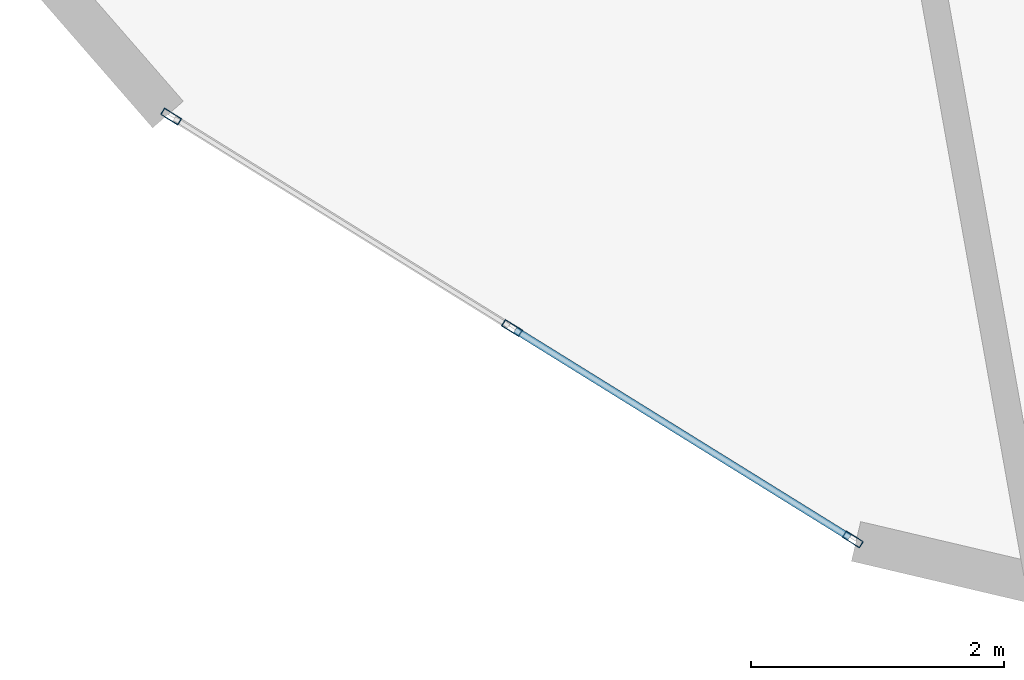
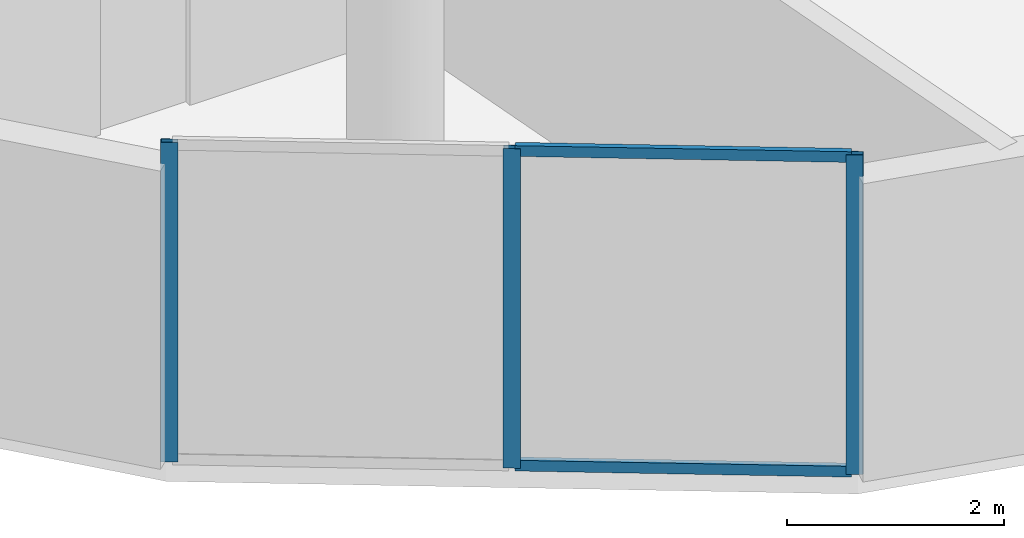
# One storey, part 2 of 22: 5 members, 1 element without a shape of its own.
"""IFC4 building model written with IfcOpenShell, lengths in metres."""

import ifcopenshell
import ifcopenshell.guid

model = None  # the IFC model being written
_history = None  # IfcOwnerHistory: only IFC2X3 demands one
_inside = {}  # id of a spatial element -> (the spatial element, [elements in it])
_under = {}  # id of a project, library or spatial element -> (it, [spatial elements below it])
_declared = {}  # id of a project -> (the project, [libraries it declares])
_typed = {}  # id of a type object -> (the type object, [elements of that type])
_made_of = {}  # id of a material, layer set ... -> (it, [elements and type objects made of it])


def new_model(schema):
    """Start an empty IFC model of exactly this schema.

    Asked for "IFC4X3", IfcOpenShell would pick the latest addendum, in which some entities
    have other attributes; the version numbers below select the first issue.
    IFC2X3 requires an IfcOwnerHistory on every rooted entity: one is made here for all.
    """
    global model, _history
    if schema == "IFC4X3":
        model = ifcopenshell.file(schema_version=(4, 3, 0, 0))
    else:
        model = ifcopenshell.file(schema=schema)
    _inside.clear()
    _under.clear()
    _declared.clear()
    _typed.clear()
    _made_of.clear()
    _history = None
    if model.schema == "IFC2X3":
        org = make("IfcOrganization", Name="unknown")
        user = make(
            "IfcPersonAndOrganization",
            ThePerson=make("IfcPerson", FamilyName="unknown"),
            TheOrganization=org,
        )
        app = make(
            "IfcApplication",
            ApplicationDeveloper=org,
            Version="unknown",
            ApplicationFullName="unknown",
            ApplicationIdentifier="unknown",
        )
        _history = make(
            "IfcOwnerHistory",
            OwningUser=user,
            OwningApplication=app,
            ChangeAction="ADDED",
            CreationDate=0,
        )
    return model


def make(cls, **values):
    """One entity of the class cls with the attributes given. An attribute that is None is left unset."""
    return model.create_entity(
        cls, **{name: value for name, value in values.items() if value is not None}
    )


def rooted(cls, **values):
    """An entity with a GlobalId (a new one), such as an element, a storey or a relation."""
    return make(cls, GlobalId=ifcopenshell.guid.new(), OwnerHistory=_history, **values)


def si_unit(unit_type, name, prefix=None):
    """IfcSIUnit, for example si_unit("LENGTHUNIT", "METRE", prefix="MILLI")."""
    return make("IfcSIUnit", UnitType=unit_type, Prefix=prefix, Name=name)


def assignment(units):
    """IfcUnitAssignment: the units of a project."""
    return None if units is None else make("IfcUnitAssignment", Units=units)


def point(xyz):
    """IfcCartesianPoint."""
    return None if xyz is None else make("IfcCartesianPoint", Coordinates=xyz)


def direction(xyz):
    """IfcDirection."""
    return None if xyz is None else make("IfcDirection", DirectionRatios=xyz)


def frame(location, z_axis=None, x_axis=None):
    """IfcAxis2Placement3D, a coordinate frame: its origin and axes. An axis left out is left unset."""
    return make(
        "IfcAxis2Placement3D",
        Location=point(location),
        Axis=direction(z_axis),
        RefDirection=direction(x_axis),
    )


def frame_2d(location, x_axis=None):
    """IfcAxis2Placement2D, a coordinate frame in the plane: its origin and x axis."""
    return make(
        "IfcAxis2Placement2D", Location=point(location), RefDirection=direction(x_axis)
    )


def origin():
    """The frame at (0, 0, 0) with its axes left unset."""
    return frame((0.0, 0.0, 0.0))


def origin_2d():
    """The frame at (0, 0) in the plane with its x axis left unset."""
    return frame_2d((0.0, 0.0))


def place(relative_to, where):
    """IfcLocalPlacement: puts the frame where relative to a parent placement (None: the world)."""
    return make(
        "IfcLocalPlacement", PlacementRelTo=relative_to, RelativePlacement=where
    )


def context(
    kind, dimensions, precision=None, world=None, true_north=None, identifier=None
):
    """IfcGeometricRepresentationContext, for example the 3D "Model" context."""
    return make(
        "IfcGeometricRepresentationContext",
        ContextIdentifier=identifier,
        ContextType=kind,
        CoordinateSpaceDimension=dimensions,
        Precision=precision,
        WorldCoordinateSystem=world,
        TrueNorth=true_north,
    )


def subcontext(parent, identifier, kind, view, scale=None):
    """IfcGeometricRepresentationSubContext, for example "Body" below "Model"."""
    return make(
        "IfcGeometricRepresentationSubContext",
        ContextIdentifier=identifier,
        ContextType=kind,
        ParentContext=parent,
        TargetScale=scale,
        TargetView=view,
    )


def project(units=None, contexts=None):
    """IfcProject with its units and contexts."""
    return rooted(
        "IfcProject",
        Name="project",
        RepresentationContexts=contexts,
        UnitsInContext=assignment(units),
    )


def spatial(cls, under=None, at=None, **own):
    """A site, building, storey or space (cls), placed at a placement, below another one or the project."""
    s = rooted(cls, ObjectPlacement=at, **own)
    if under is not None:
        _under.setdefault(under.id(), (under, []))[1].append(s)
    return s


def profile(cls, at=None, kind="AREA", **sizes):
    """A parametric profile (cls). Its sizes go by their IFC names, for example OverallWidth=200.0."""
    return make(cls, ProfileType=kind, Position=at, **sizes)


def hollow_rectangle(**sizes):
    """IfcRectangleHollowProfileDef."""
    return profile("IfcRectangleHollowProfileDef", **sizes)


def extrude(swept, where, along, depth):
    """IfcExtrudedAreaSolid: the profile swept, set in the frame where, extruded along a direction by depth."""
    return make(
        "IfcExtrudedAreaSolid",
        SweptArea=swept,
        Position=where,
        ExtrudedDirection=direction(along),
        Depth=depth,
    )


def shape(context_of_items, identifier, shape_type, items):
    """IfcShapeRepresentation: the items that make up one representation, for example the "Body"."""
    return make(
        "IfcShapeRepresentation",
        ContextOfItems=context_of_items,
        RepresentationIdentifier=identifier,
        RepresentationType=shape_type,
        Items=items,
    )


def source(mapping_origin, context_of_items, identifier, shape_type, items):
    """IfcRepresentationMap: a shape defined once, which mapped items show again and again."""
    return make(
        "IfcRepresentationMap",
        MappingOrigin=mapping_origin,
        MappedRepresentation=shape(context_of_items, identifier, shape_type, items),
    )


def transform(
    local_origin,
    x_axis=None,
    y_axis=None,
    z_axis=None,
    scale=None,
    scale2=None,
    scale3=None,
    uniform=True,
):
    """IfcCartesianTransformationOperator3D, or its non-uniform kind. x_axis, y_axis, z_axis: its Axis1, 2, 3."""
    if uniform:
        return make(
            "IfcCartesianTransformationOperator3D",
            Axis1=direction(x_axis),
            Axis2=direction(y_axis),
            LocalOrigin=point(local_origin),
            Scale=scale,
            Axis3=direction(z_axis),
        )
    return make(
        "IfcCartesianTransformationOperator3DnonUniform",
        Axis1=direction(x_axis),
        Axis2=direction(y_axis),
        LocalOrigin=point(local_origin),
        Scale=scale,
        Axis3=direction(z_axis),
        Scale2=scale2,
        Scale3=scale3,
    )


def mapped(mapping_source, mapping_target):
    """IfcMappedItem: shows the shape of a source again, moved by a transform."""
    return make(
        "IfcMappedItem", MappingSource=mapping_source, MappingTarget=mapping_target
    )


def material(Name=None, Category=None):
    """IfcMaterial."""
    return make("IfcMaterial", Name=Name, Category=Category)


def layer(
    of_material, thickness, ventilated=None, Name=None, Category=None, Priority=None
):
    """IfcMaterialLayer: one layer of a wall or slab, of a material (None: an air gap)."""
    return make(
        "IfcMaterialLayer",
        Material=of_material,
        LayerThickness=thickness,
        IsVentilated=ventilated,
        Name=Name,
        Category=Category,
        Priority=Priority,
    )


def layer_set(layers, Name=None):
    """IfcMaterialLayerSet."""
    return make("IfcMaterialLayerSet", MaterialLayers=layers, LayerSetName=Name)


def material_profile(
    of_material, cross_section, Name=None, Category=None, Priority=None
):
    """IfcMaterialProfile: a cross section and its material."""
    return make(
        "IfcMaterialProfile",
        Name=Name,
        Material=of_material,
        Profile=cross_section,
        Priority=Priority,
        Category=Category,
    )


def profile_set(profiles, Name=None, composite=None):
    """IfcMaterialProfileSet."""
    return make(
        "IfcMaterialProfileSet",
        Name=Name,
        MaterialProfiles=profiles,
        CompositeProfile=composite,
    )


def made_of(thing, what):
    """Note that an element or type object is made of a material, layer set ...; save() writes the relation."""
    if what is not None:
        _made_of.setdefault(what.id(), (what, []))[1].append(thing)
    return thing


def type_object(cls, material=None, **own):
    """A type object (cls), such as IfcWallType, which elements share."""
    return made_of(rooted(cls, **own), material)


def element(
    cls,
    number,
    at=None,
    inside=None,
    cuts=None,
    type_object=None,
    material=None,
    context=None,
    identifier="Body",
    shape_type=None,
    held_by="IfcProductDefinitionShape",
    body=None,
    shapes=None,
    **own,
):
    """One element of the class cls, such as IfcWall. Its Tag is "e" and its number.

    at: its placement. inside: the storey or other place that contains it. cuts: it is an
    opening in that element (IfcRelVoidsElement). A single representation is given by context,
    identifier, shape_type and body (its items); several are given by shapes. held_by: the class
    of the entity that holds the representations. save() writes the other relations.
    """
    e = rooted(cls, Tag="e%d" % number, ObjectPlacement=at, **own)
    if body is not None:
        shapes = [shape(context, identifier, shape_type, body)]
    if shapes is not None:
        e.Representation = make(held_by, Representations=shapes)
    if inside is not None:
        _inside.setdefault(inside.id(), (inside, []))[1].append(e)
    if cuts is not None:
        rooted(
            "IfcRelVoidsElement", RelatingBuildingElement=cuts, RelatedOpeningElement=e
        )
    if type_object is not None:
        _typed.setdefault(type_object.id(), (type_object, []))[1].append(e)
    return made_of(e, material)


def aggregate(whole, parts):
    """IfcRelAggregates: a whole, such as a stair, and the parts it consists of."""
    return rooted("IfcRelAggregates", RelatingObject=whole, RelatedObjects=parts)


def save(model, path):
    """Write the relations noted so far, then the file.

    IfcRelAggregates (storeys below a building ...), IfcRelContainedInSpatialStructure (elements
    in a storey), IfcRelDefinesByType, IfcRelAssociatesMaterial and IfcRelDeclares: one each for
    every whole, place, type object, material and project.
    """
    for whole, parts in _under.values():
        aggregate(whole, parts)
    for where, things in _inside.values():
        rooted(
            "IfcRelContainedInSpatialStructure",
            RelatedElements=things,
            RelatingStructure=where,
        )
    for kind, things in _typed.values():
        rooted("IfcRelDefinesByType", RelatedObjects=things, RelatingType=kind)
    for what, things in _made_of.values():
        rooted("IfcRelAssociatesMaterial", RelatedObjects=things, RelatingMaterial=what)
    for by, libraries in _declared.values():
        rooted("IfcRelDeclares", RelatingContext=by, RelatedDefinitions=libraries)
    model.write(path)


model = new_model("IFC4")

# Units and contexts
model_context = context("Model", 3, precision=1e-05, world=origin(), true_north=direction((0.0, 1.0)))
body_context = subcontext(model_context, "Body", "Model", "MODEL_VIEW")
ifc_project = project(units=[si_unit("LENGTHUNIT", "METRE"), si_unit("AREAUNIT", "SQUARE_METRE"), si_unit("VOLUMEUNIT", "CUBIC_METRE"), si_unit("PLANEANGLEUNIT", "RADIAN"), si_unit("MASSUNIT", "GRAM", prefix="KILO")], contexts=[model_context])

# Site, building, storey
site_placement = place(None, origin())
site = spatial("IfcSite", under=ifc_project, at=site_placement, CompositionType="ELEMENT")
building_placement = place(site_placement, origin())
building = spatial("IfcBuilding", under=site, at=building_placement, Name="Solvirekh Grand Hotel", CompositionType="ELEMENT")
storey_placement = place(building_placement, frame((0.0, 0.0, 227.199951171875)))
storey = spatial("IfcBuildingStorey", under=building, at=storey_placement, Name="L59", CompositionType="ELEMENT", Elevation=227.199951171875)

# Curtain wall, members
ifc_material = material(Name="Anodized Bronze Aluminium 6063-T6", Category="aluminium")
ifc_layer = layer(ifc_material, 0.159912109375)
ifc_layer_set = layer_set([ifc_layer], Name="Anodized Bronze Aluminium 6063-T6")
curtain_wall_type = type_object("IfcCurtainWallType", Name="CW_Sys4_HighZoneFlushBronzeCW", PredefinedType="NOTDEFINED", material=ifc_layer_set)
curtain_wall_placement = place(storey_placement, origin())
curtain_wall = element("IfcCurtainWall", 1, at=curtain_wall_placement, inside=storey, type_object=curtain_wall_type, Name="L59 unitised bronze-glass curtain wall CW-L59-C18", PredefinedType="NOTDEFINED")
ifc_material_profile_1 = material_profile(ifc_material, hollow_rectangle(XDim=0.06005859375, YDim=0.159912109375, WallThickness=0.0048828125, at=origin_2d()), Name="ALU RHS 160X60X5")
ifc_profile_set_1 = profile_set([ifc_material_profile_1], Name="Anodized Bronze Aluminium 6063-T6")
member_type_1 = type_object("IfcMemberType", Name="CWMullion_Sys4", PredefinedType="MULLION", material=ifc_profile_set_1)
shared_shape_1 = source(origin(), body_context, "Body", "SweptSolid", [
    extrude(hollow_rectangle(XDim=0.06005859375, YDim=0.159912109375, WallThickness=0.0048828125, at=origin_2d()), origin(), (0.0, 0.0, 1.0), 3.60009765625),
])
member_1_placement = place(storey_placement, frame((-12.074462890625, -16.743896484375, 0.0), z_axis=(0.0, 0.0, 1.0), x_axis=(0.527168034407, 0.849761062593, 0.0)))
member_1 = element("IfcMember", 2, at=member_1_placement, type_object=member_type_1, Name="U04 mullion 1", PredefinedType="MULLION", context=body_context, shape_type="MappedRepresentation", body=[
    mapped(shared_shape_1, transform((0.0, 0.0, 0.0), x_axis=(1.0, 0.0, 0.0), y_axis=(0.0, 1.0, 0.0), z_axis=(0.0, 0.0, 1.0), scale=1.0)),
])
member_2_placement = place(storey_placement, frame((-9.385498046875, -18.412109375, 0.0), z_axis=(0.0, 0.0, 1.0), x_axis=(0.527168034407, 0.849761062593, 0.0)))
member_2 = element("IfcMember", 3, at=member_2_placement, type_object=member_type_1, Name="U04 mullion 2", PredefinedType="MULLION", context=body_context, shape_type="MappedRepresentation", body=[
    mapped(shared_shape_1, transform((0.0, 0.0, 0.0), x_axis=(1.0, 0.0, 0.0), y_axis=(0.0, 1.0, 0.0), z_axis=(0.0, 0.0, 1.0), scale=1.0)),
])
member_3_placement = place(storey_placement, frame((-6.696533203125, -20.080078125, 0.0), z_axis=(0.0, 0.0, 1.0), x_axis=(0.527168034407, 0.849761062593, 0.0)))
member_3 = element("IfcMember", 4, at=member_3_placement, type_object=member_type_1, Name="U04 mullion 3", PredefinedType="MULLION", context=body_context, shape_type="MappedRepresentation", body=[
    mapped(shared_shape_1, transform((0.0, 0.0, 0.0), x_axis=(1.0, 0.0, 0.0), y_axis=(0.0, 1.0, 0.0), z_axis=(0.0, 0.0, 1.0), scale=1.0)),
])
ifc_material_profile_2 = material_profile(ifc_material, hollow_rectangle(XDim=0.054931640625, YDim=0.1201171875, WallThickness=0.00390625, at=origin_2d()), Name="ALU RHS 120X55X4")
ifc_profile_set_2 = profile_set([ifc_material_profile_2], Name="Anodized Bronze Aluminium 6063-T6")
member_type_2 = type_object("IfcMemberType", Name="CWTransom_Sys4", PredefinedType="USERDEFINED", material=ifc_profile_set_2)
shared_shape_2 = source(origin(), body_context, "Body", "SweptSolid", [
    extrude(hollow_rectangle(XDim=0.054931640625, YDim=0.1201171875, WallThickness=0.00390625, at=origin_2d()), origin(), (0.0, 0.0, 1.0), 3.104736328125),
])
member_4_placement = place(storey_placement, frame((-9.360107421875, -18.427734375, 0.027587890625), z_axis=(0.849751926468, -0.52718276097, 0.0), x_axis=(0.52718276097, 0.849751926468, 0.0)))
member_4 = element("IfcMember", 5, at=member_4_placement, type_object=member_type_2, Name="U04 transom 2.1", ObjectType="TRANSOM", PredefinedType="USERDEFINED", context=body_context, shape_type="MappedRepresentation", body=[
    mapped(shared_shape_2, transform((0.0, 0.0, 0.0), x_axis=(1.0, 0.0, 0.0), y_axis=(0.0, 1.0, 0.0), z_axis=(0.0, 0.0, 1.0), scale=1.0)),
])
member_5_placement = place(storey_placement, frame((-9.360107421875, -18.427734375, 3.572509765625), z_axis=(0.849751926468, -0.52718276097, 0.0), x_axis=(0.52718276097, 0.849751926468, 0.0)))
member_5 = element("IfcMember", 6, at=member_5_placement, type_object=member_type_2, Name="U04 transom 2.2", ObjectType="TRANSOM", PredefinedType="USERDEFINED", context=body_context, shape_type="MappedRepresentation", body=[
    mapped(shared_shape_2, transform((0.0, 0.0, 0.0), x_axis=(1.0, 0.0, 0.0), y_axis=(0.0, 1.0, 0.0), z_axis=(0.0, 0.0, 1.0), scale=1.0)),
])
aggregate(curtain_wall, [member_1, member_2, member_3, member_4, member_5])

save(model, "model.ifc")
